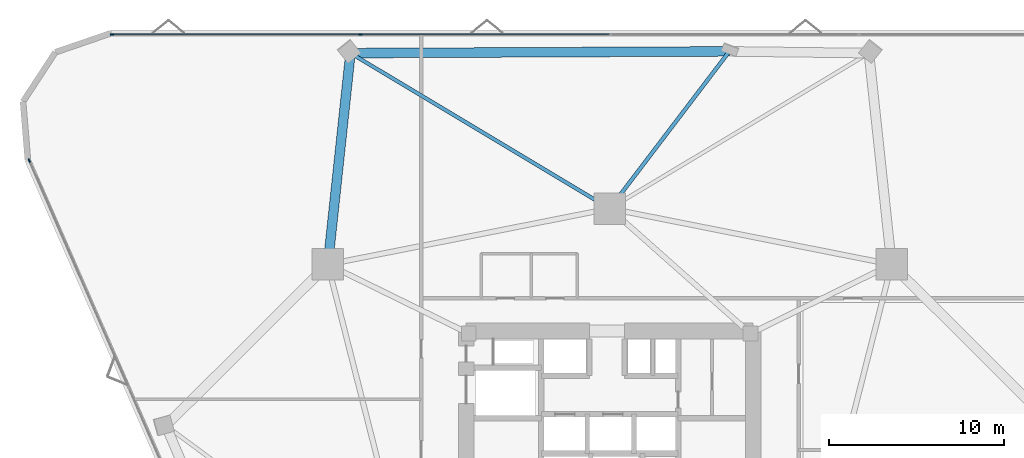
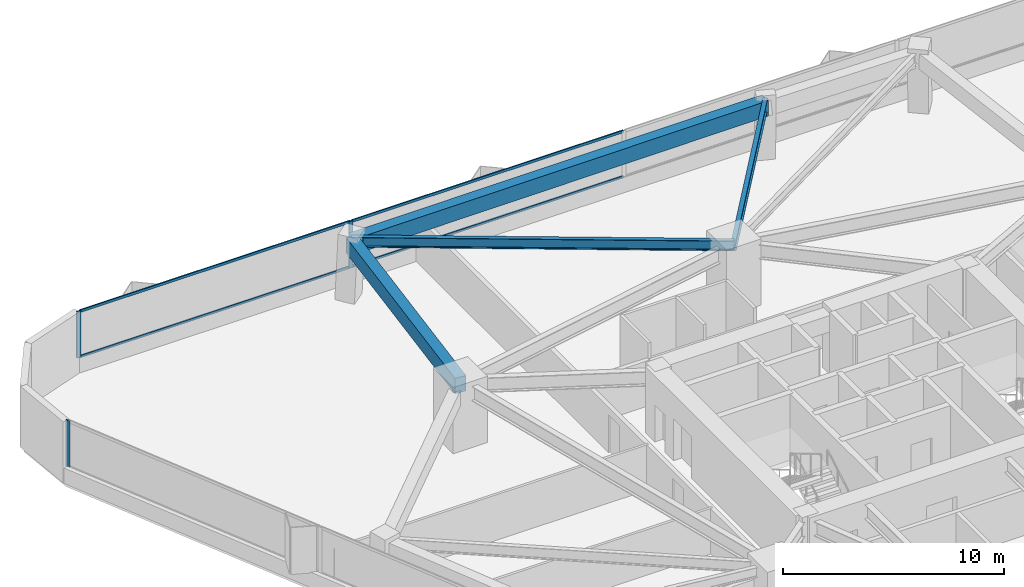
# One storey, part 7 of 16: 7 members, 4 beams, 2 elements without a shape of their own.
"""IFC4 building model written with IfcOpenShell, lengths in metres."""

from ifc_helpers import new_model, si_unit, direction, frame, origin, origin_2d, place, context, subcontext, project, spatial, rectangle, i_section, extrude, material, layer, layer_set, material_profile, profile_set, type_object, element, aggregate, save


model = new_model("IFC4")

# Units and contexts
model_context = context("Model", 3, precision=1e-05, world=origin(), true_north=direction((0.0, 1.0)))
body_context = subcontext(model_context, "Body", "Model", "MODEL_VIEW")
ifc_project = project(units=[si_unit("LENGTHUNIT", "METRE"), si_unit("AREAUNIT", "SQUARE_METRE"), si_unit("VOLUMEUNIT", "CUBIC_METRE"), si_unit("PLANEANGLEUNIT", "RADIAN"), si_unit("MASSUNIT", "GRAM", prefix="KILO")], contexts=[model_context])

# Site, building, storey
site_placement = place(None, origin())
site = spatial("IfcSite", under=ifc_project, at=site_placement, CompositionType="ELEMENT")
building_placement = place(site_placement, origin())
building = spatial("IfcBuilding", under=site, at=building_placement, Name="Talyreon Biosciences Tower", CompositionType="ELEMENT")
storey_placement = place(building_placement, frame((0.0, 0.0, 44.699951171875)))
storey = spatial("IfcBuildingStorey", under=building, at=storey_placement, Name="L11", CompositionType="ELEMENT", Elevation=44.699951171875)

# Curtain wall, members
ifc_material_1 = material(Name="Thermally broken aluminium and low-E glazing", Category="aluminium")
ifc_layer = layer(ifc_material_1, 0.205078125)
ifc_layer_set = layer_set([ifc_layer], Name="Thermally broken aluminium and low-E glazing")
curtain_wall_type = type_object("IfcCurtainWallType", Name="CurtainWall_SkyGardenLoggia", PredefinedType="NOTDEFINED", material=ifc_layer_set)
curtain_wall_1_placement = place(storey_placement, origin())
curtain_wall_1 = element("IfcCurtainWall", 1, at=curtain_wall_1_placement, inside=storey, type_object=curtain_wall_type, Name="L11 Unitised Curtain Wall FCW-L11-03", PredefinedType="NOTDEFINED")
ifc_material_2 = material(Name="Anodised thermally broken aluminium", Category="aluminium")
ifc_material_profile_1 = material_profile(ifc_material_2, rectangle(XDim=0.074951171875, YDim=0.2099609375, at=origin_2d()), Name="ALUM MULLION 75x210")
ifc_profile_set_1 = profile_set([ifc_material_profile_1], Name="Anodised thermally broken aluminium")
member_type_1 = type_object("IfcMemberType", Name="CWMullion_75x210", PredefinedType="MULLION", material=ifc_profile_set_1)
member_1_placement = place(storey_placement, frame((37.556640625, 91.74072265625, 0.81005859375), z_axis=(0.0, 0.0, 1.0), x_axis=(0.0, 1.0, 0.0)))
member_1 = element("IfcMember", 2, at=member_1_placement, type_object=member_type_1, Name="CW7 mullion 1", PredefinedType="MULLION", context=body_context, shape_type="SweptSolid", body=[
    extrude(rectangle(XDim=0.074951171875, YDim=0.2099609375, at=origin_2d()), origin(), (0.0, 0.0, 1.0), 2.56494140625),
])
member_2_placement = place(storey_placement, frame((51.759521484375, 91.74072265625, 0.81005859375), z_axis=(0.0, 0.0, 1.0), x_axis=(0.0, 1.0, 0.0)))
member_2 = element("IfcMember", 3, at=member_2_placement, type_object=member_type_1, Name="CW7 mullion 2", PredefinedType="MULLION", context=body_context, shape_type="SweptSolid", body=[
    extrude(rectangle(XDim=0.074951171875, YDim=0.2099609375, at=origin_2d()), origin(), (0.0, 0.0, 1.0), 2.56494140625),
])

# Curtain wall, member
curtain_wall_2_placement = place(storey_placement, origin())
curtain_wall_2 = element("IfcCurtainWall", 4, at=curtain_wall_2_placement, inside=storey, type_object=curtain_wall_type, Name="L11 Unitised Curtain Wall FCW-L11-15", PredefinedType="NOTDEFINED")
member_3_placement = place(storey_placement, frame((32.84423828125, 84.53271484375, 0.81005859375), z_axis=(0.0, 0.0, 1.0), x_axis=(-0.916035471245, -0.40109726429, 0.0)))
member_3 = element("IfcMember", 5, at=member_3_placement, type_object=member_type_1, Name="CW7 mullion 6", PredefinedType="MULLION", context=body_context, shape_type="SweptSolid", body=[
    extrude(rectangle(XDim=0.074951171875, YDim=0.2099609375, at=origin_2d()), origin(), (0.0, 0.0, 1.0), 2.56494140625),
])
aggregate(curtain_wall_2, [member_3])

# Member
ifc_material_profile_2 = material_profile(ifc_material_2, rectangle(XDim=0.06494140625, YDim=0.139892578125, at=origin_2d()), Name="ALUM TRANSOM 65x140")
ifc_profile_set_2 = profile_set([ifc_material_profile_2], Name="Anodised thermally broken aluminium")
member_type_2 = type_object("IfcMemberType", Name="CWTransom_65x140", PredefinedType="USERDEFINED", material=ifc_profile_set_2)
member_4_placement = place(storey_placement, frame((37.59423828125, 91.74072265625, 0.842529296875), z_axis=(1.0, 0.0, 0.0), x_axis=(0.0, 1.0, 0.0)))
member_4 = element("IfcMember", 6, at=member_4_placement, type_object=member_type_2, Name="CW7 transom 1.1", ObjectType="TRANSOM", PredefinedType="USERDEFINED", context=body_context, shape_type="SweptSolid", body=[
    extrude(rectangle(XDim=0.06494140625, YDim=0.139892578125, at=origin_2d()), origin(), (0.0, 0.0, 1.0), 14.1279296875),
])

member_5_placement = place(storey_placement, frame((37.59423828125, 91.74072265625, 3.342529296875), z_axis=(1.0, 0.0, 0.0), x_axis=(0.0, 1.0, 0.0)))
member_5 = element("IfcMember", 7, at=member_5_placement, type_object=member_type_2, Name="CW7 transom 1.2", ObjectType="TRANSOM", PredefinedType="USERDEFINED", context=body_context, shape_type="SweptSolid", body=[
    extrude(rectangle(XDim=0.06494140625, YDim=0.139892578125, at=origin_2d()), origin(), (0.0, 0.0, 1.0), 14.1279296875),
])

member_6_placement = place(storey_placement, frame((51.797119140625, 91.74072265625, 0.842529296875), z_axis=(1.0, 0.0, 0.0), x_axis=(0.0, 1.0, 0.0)))
member_6 = element("IfcMember", 8, at=member_6_placement, type_object=member_type_2, Name="CW7 transom 2.1", ObjectType="TRANSOM", PredefinedType="USERDEFINED", context=body_context, shape_type="SweptSolid", body=[
    extrude(rectangle(XDim=0.06494140625, YDim=0.139892578125, at=origin_2d()), origin(), (0.0, 0.0, 1.0), 14.165283203125),
])

member_7_placement = place(storey_placement, frame((51.797119140625, 91.74072265625, 3.342529296875), z_axis=(1.0, 0.0, 0.0), x_axis=(0.0, 1.0, 0.0)))
member_7 = element("IfcMember", 9, at=member_7_placement, type_object=member_type_2, Name="CW7 transom 2.2", ObjectType="TRANSOM", PredefinedType="USERDEFINED", context=body_context, shape_type="SweptSolid", body=[
    extrude(rectangle(XDim=0.06494140625, YDim=0.139892578125, at=origin_2d()), origin(), (0.0, 0.0, 1.0), 14.165283203125),
])

aggregate(curtain_wall_1, [member_1, member_2, member_4, member_5, member_6, member_7])

# Beams
ifc_material_3 = material(Name="Precast concrete C45/55", Category="concrete")
ifc_material_profile_3 = material_profile(ifc_material_3, rectangle(XDim=0.550048828125, YDim=0.85009765625, at=origin_2d()), Name="RCB 550x850")
ifc_profile_set_3 = profile_set([ifc_material_profile_3], Name="Precast concrete C45/55")
beam_type_1 = type_object("IfcBeamType", Name="ExpressedSpandrel_550x850", PredefinedType="SPANDREL", material=ifc_profile_set_3)
beam_1_placement = place(storey_placement, frame((72.83544921875, 90.770751953125, 2.949951171875), z_axis=(-0.999989307598, -0.004624358404, 0.0), x_axis=(0.004624358404, -0.999989307598, 0.0)))
element("IfcBeam", 10, at=beam_1_placement, inside=storey, type_object=beam_type_1, Name="L11 Expressed Horizontal Concrete Spandrel 07", PredefinedType="SPANDREL", context=body_context, shape_type="SweptSolid", body=[
    extrude(rectangle(XDim=0.550048828125, YDim=0.85009765625, at=origin_2d()), origin(), (0.0, 0.0, 1.0), 21.645751953125),
])
beam_2_placement = place(storey_placement, frame((51.18994140625, 90.670654296875, 2.949951171875), z_axis=(-0.106435850317, -0.994319571248, 0.0), x_axis=(0.994319571248, -0.106435850317, 0.0)))
element("IfcBeam", 11, at=beam_2_placement, inside=storey, type_object=beam_type_1, Name="L11 Expressed Horizontal Concrete Spandrel 08", PredefinedType="SPANDREL", context=body_context, shape_type="SweptSolid", body=[
    extrude(rectangle(XDim=0.550048828125, YDim=0.85009765625, at=origin_2d()), origin(), (0.0, 0.0, 1.0), 12.140869140625),
])
ifc_material_4 = material(Name="Steel SM355", Category="steel")
ifc_material_profile_4 = material_profile(ifc_material_4, i_section(OverallWidth=0.2099609375, OverallDepth=0.550048828125, WebThickness=0.010986328125, FlangeThickness=0.01708984375, FilletRadius=0.02392578125, at=origin_2d()), Name="IPE550")
ifc_profile_set_4 = profile_set([ifc_material_profile_4], Name="Steel SM355")
beam_type_2 = type_object("IfcBeamType", Name="SteelJoist_IPE550", PredefinedType="JOIST", material=ifc_profile_set_4)
beam_3_placement = place(storey_placement, frame((66.0, 81.788818359375, 3.10009765625), z_axis=(-0.857600184643, 0.514316948292, 0.0), x_axis=(-0.514316948292, -0.857600184643, 0.0)))
element("IfcBeam", 12, at=beam_3_placement, inside=storey, type_object=beam_type_2, Name="L11 Radial Composite Floor Joist PC-N2", PredefinedType="JOIST", context=body_context, shape_type="SweptSolid", body=[
    extrude(i_section(OverallWidth=0.2099609375, OverallDepth=0.550048828125, WebThickness=0.010986328125, FlangeThickness=0.01708984375, FilletRadius=0.02392578125, at=origin_2d()), origin(), (0.0, 0.0, 1.0), 17.269287109375),
])
ifc_material_profile_5 = material_profile(ifc_material_4, i_section(OverallWidth=0.219970703125, OverallDepth=0.60009765625, WebThickness=0.011962890625, FlangeThickness=0.01904296875, FilletRadius=0.02392578125, at=origin_2d()), Name="IPE600")
ifc_profile_set_5 = profile_set([ifc_material_profile_5], Name="Steel SM355")
beam_type_3 = type_object("IfcBeamType", Name="SteelJoist_IPE600", PredefinedType="JOIST", material=ifc_profile_set_5)
beam_4_placement = place(storey_placement, frame((66.0, 81.788818359375, 3.074951171875), z_axis=(0.605598664637, 0.795770229017, 0.0), x_axis=(-0.795770229017, 0.605598664637, 0.0)))
element("IfcBeam", 13, at=beam_4_placement, inside=storey, type_object=beam_type_3, Name="L11 Radial Composite Floor Joist PL-N", PredefinedType="JOIST", context=body_context, shape_type="SweptSolid", body=[
    extrude(i_section(OverallWidth=0.219970703125, OverallDepth=0.60009765625, WebThickness=0.011962890625, FlangeThickness=0.01904296875, FilletRadius=0.02392578125, at=origin_2d()), origin(), (0.0, 0.0, 1.0), 11.287109375),
])

save(model, "model.ifc")
